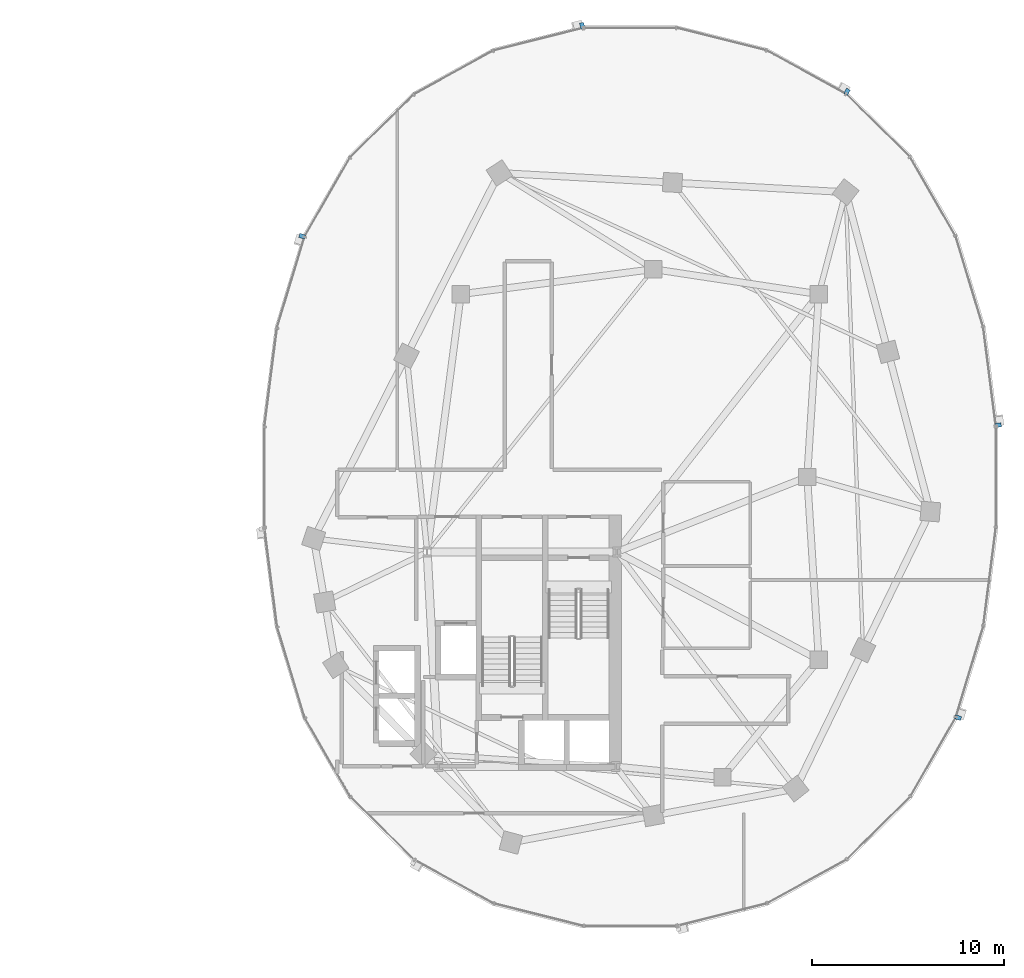
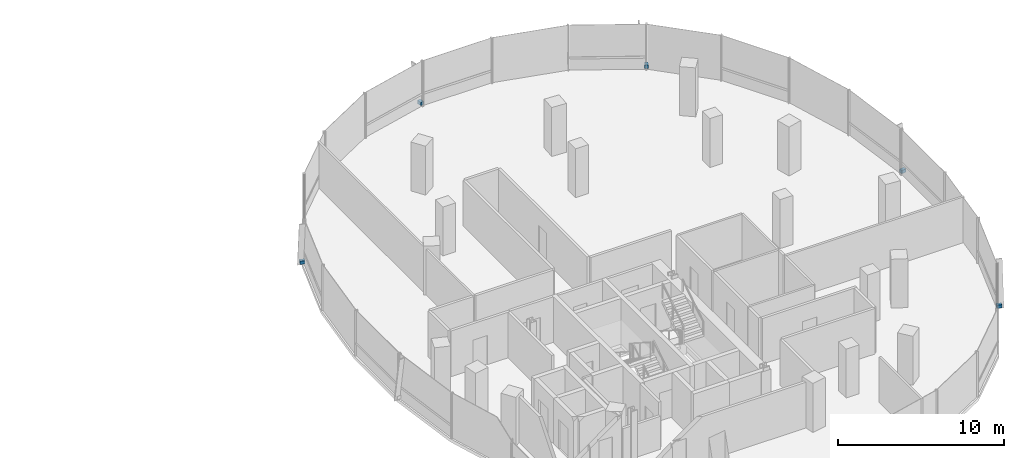
# One storey, part 17 of 22: 5 discrete accessories.
"""IFC4 building model written with IfcOpenShell, lengths in metres."""

from ifc_helpers import new_model, si_unit, direction, frame, origin, origin_2d, place, context, subcontext, project, spatial, rectangle, extrude, material, type_object, element, save


model = new_model("IFC4")

# Units and contexts
model_context = context("Model", 3, precision=1e-05, world=origin(), true_north=direction((0.0, 1.0)))
body_context = subcontext(model_context, "Body", "Model", "MODEL_VIEW")
ifc_project = project(units=[si_unit("LENGTHUNIT", "METRE"), si_unit("AREAUNIT", "SQUARE_METRE"), si_unit("VOLUMEUNIT", "CUBIC_METRE"), si_unit("PLANEANGLEUNIT", "RADIAN"), si_unit("MASSUNIT", "GRAM", prefix="KILO"), si_unit("THERMODYNAMICTEMPERATUREUNIT", "KELVIN"), si_unit("POWERUNIT", "WATT")], contexts=[model_context])

# Site, building, storey
site_placement = place(None, origin())
site = spatial("IfcSite", under=ifc_project, at=site_placement, CompositionType="ELEMENT")
building_placement = place(site_placement, origin())
building = spatial("IfcBuilding", under=site, at=building_placement, Name="Cundina Bronze Exchange", CompositionType="ELEMENT")
storey_placement = place(building_placement, frame((0.0, 0.0, 144.0)))
storey = spatial("IfcBuildingStorey", under=building, at=storey_placement, Name="L37", CompositionType="ELEMENT", Elevation=144.0)

# Discrete accessories
ifc_material = material(Name="Anodised Bronze Aluminium 6063-T6", Category="aluminium")
discrete_accessory_type = type_object("IfcDiscreteAccessoryType", Name="ACC-BRK-FIN", PredefinedType="BRACKET", material=ifc_material)
for number, where, z_axis, x_axis, name in (
    (1, (51.125732421875, 2.69189453125, 0.10009765625), (0.0, 0.0, 1.0), (-0.126475984253, 0.9919696696, 0.0), "L37 Fin Support Bracket 1"),
    (2, (43.266845703125, 20.015380859375, 0.10009765625), (0.0, 0.0, 1.0), (-0.875869093438, 0.482548786301, 0.0), "L37 Fin Support Bracket 5"),
    (3, (29.507080078125, 23.44970703125, 0.10009765625), (0.0, 0.0, 1.0), (-0.970092713791, -0.242734683656, 0.0), "L37 Fin Support Bracket 1"),
    (4, (14.9541015625, 12.511962890625, 0.10009765625), (0.0, 0.0, 1.0), (-0.290050843957, -0.957011237092, 0.0), "L37 Fin Support Bracket 5"),
    (5, (49.0458984375, -12.511962890625, 0.10009765625), (0.0, 0.0, 1.0), (0.290050843957, 0.957011237092, 0.0), "L37 Fin Support Bracket 5"),
):
    element("IfcDiscreteAccessory", number, at=place(storey_placement, frame(where, z_axis=z_axis, x_axis=x_axis)), inside=storey, type_object=discrete_accessory_type, Name=name, PredefinedType="BRACKET", context=body_context, shape_type="SweptSolid", body=[
        extrude(rectangle(XDim=0.219970703125, YDim=0.320068359375, at=origin_2d()), origin(), (0.0, 0.0, 1.0), 0.239990234375),
    ])

save(model, "model.ifc")
